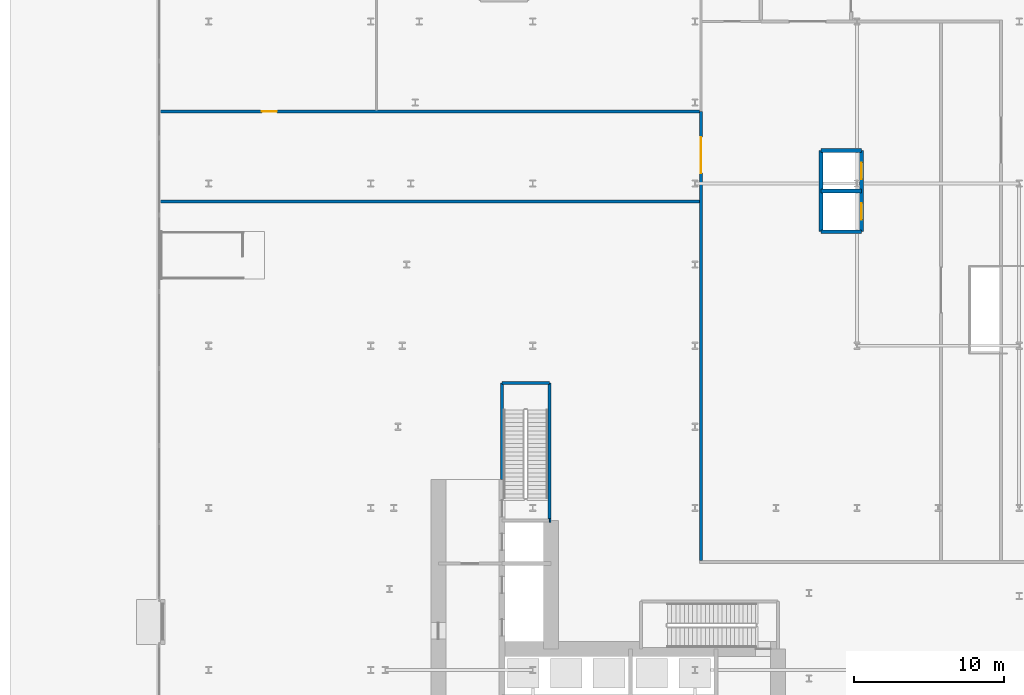
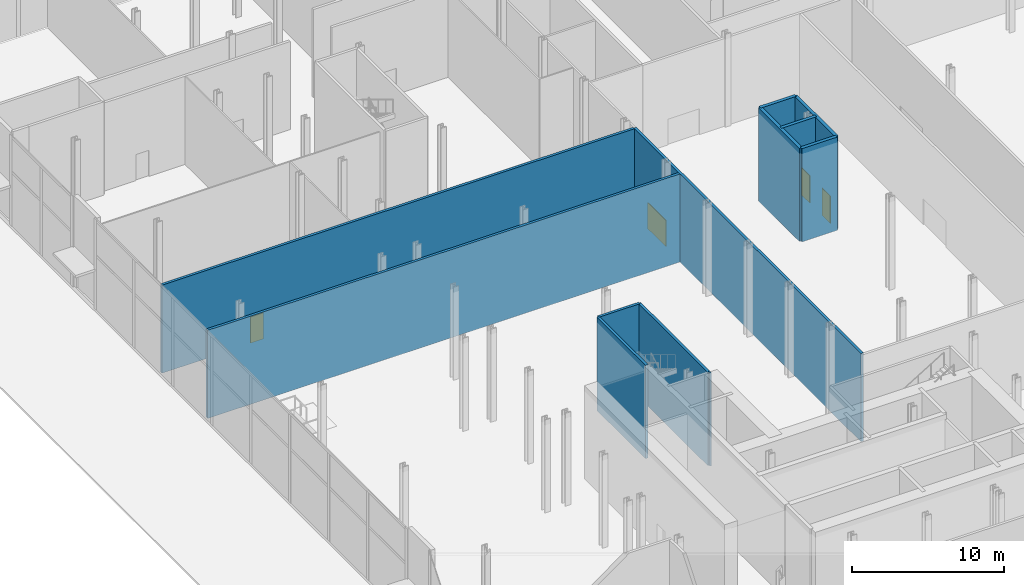
# One storey, part 25 of 46: 12 walls, 4 doors, 4 openings.
"""IFC4 building model written with IfcOpenShell, lengths in metres."""

from ifc_helpers import new_model, si_unit, direction, frame, frame_2d, origin, place, context, subcontext, project, spatial, rectangle, extrude, source, transform, mapped, material, layer, layer_set, type_object, element, fill, save


model = new_model("IFC4")

# Units and contexts
model_context = context("Model", 3, precision=1e-05, world=origin(), true_north=direction((0.0, 1.0)))
body_context = subcontext(model_context, "Body", "Model", "MODEL_VIEW")
ifc_project = project(units=[si_unit("LENGTHUNIT", "METRE"), si_unit("AREAUNIT", "SQUARE_METRE"), si_unit("VOLUMEUNIT", "CUBIC_METRE"), si_unit("PLANEANGLEUNIT", "RADIAN"), si_unit("MASSUNIT", "GRAM", prefix="KILO")], contexts=[model_context])

# Site, building, storey
site_placement = place(None, origin())
site = spatial("IfcSite", under=ifc_project, at=site_placement, CompositionType="ELEMENT")
building_placement = place(site_placement, origin())
building = spatial("IfcBuilding", under=site, at=building_placement, Name="Kheshtan School and Residences Tower", CompositionType="ELEMENT")
storey_placement = place(building_placement, origin())
storey = spatial("IfcBuildingStorey", under=building, at=storey_placement, Name="L00", CompositionType="ELEMENT", Elevation=0.0)

# Wall
ifc_material_1 = material(Name="Gypsum board on steel studs with fire boards", Category="steel")
ifc_layer_1 = layer(ifc_material_1, 0.199951171875)
ifc_layer_set_1 = layer_set([ifc_layer_1], Name="Corridor wall 200")
wall_type_1 = type_object("IfcWallType", Name="Corridor wall 200", PredefinedType="PARTITIONING", material=ifc_layer_set_1)
wall_1_placement = place(storey_placement, frame((12.0, 66.0, 0.0), z_axis=(0.0, 0.0, 1.0), x_axis=(1.0, 0.0, 0.0)))
element("IfcWall", 1, at=wall_1_placement, inside=storey, type_object=wall_type_1, Name="Partition L00-005", PredefinedType="PARTITIONING", context=body_context, shape_type="SweptSolid", body=[
    extrude(rectangle(XDim=35.89990234375, YDim=0.199951171875, at=frame_2d((17.949951171875, 0.0))), origin(), (0.0, 0.0, 1.0), 7.080078125),
])

# Wall, opening, door
wall_2_placement = place(storey_placement, frame((12.0, 72.0, 0.0), z_axis=(0.0, 0.0, 1.0), x_axis=(1.0, 0.0, 0.0)))
wall_2 = element("IfcWall", 2, at=wall_2_placement, inside=storey, type_object=wall_type_1, Name="Partition L00-006", PredefinedType="PARTITIONING", context=body_context, shape_type="SweptSolid", body=[
    extrude(rectangle(XDim=35.89990234375, YDim=0.199951171875, at=frame_2d((17.949951171875, 0.0))), origin(), (0.0, 0.0, 1.0), 7.080078125),
])
opening_1_placement = place(wall_2_placement, frame((6.75, 0.0, 0.0)))
opening_1 = element("IfcOpeningElement", 3, at=opening_1_placement, cuts=wall_2, Name="Opening D00-008", PredefinedType="OPENING", context=body_context, shape_type="SweptSolid", body=[
    extrude(rectangle(XDim=1.0, YDim=2.10009765625, at=frame_2d((0.5, 1.050048828125))), frame((0.0, 0.10986328125, 0.0), z_axis=(0.0, -1.0, 0.0), x_axis=(1.0, 0.0, 0.0)), (0.0, 0.0, 1.0), 0.219970703125),
])
ifc_material_2 = material(Name="Steel-framed fire-resisting door leaf", Category="steel")
door_type_1 = type_object("IfcDoorType", Name="Fire door FD60 1000 x 2100", OperationType="SINGLE_SWING_LEFT", PredefinedType="DOOR", material=ifc_material_2)
shared_shape_1 = source(origin(), body_context, "Body", "SweptSolid", [
    extrude(rectangle(XDim=1.0, YDim=2.10009765625, at=frame_2d((0.5, 1.050048828125))), frame((0.0, 0.02490234375, 0.0), z_axis=(0.0, -1.0, 0.0), x_axis=(1.0, 0.0, 0.0)), (0.0, 0.0, 1.0), 0.050048828125),
])
door_1_placement = place(opening_1_placement, origin())
door_1 = element("IfcDoor", 4, at=door_1_placement, inside=storey, type_object=door_type_1, Name="Door D00-008", OperationType="SINGLE_SWING_RIGHT", OverallHeight=2.10009765625, OverallWidth=1.0, PredefinedType="DOOR", context=body_context, shape_type="MappedRepresentation", body=[
    mapped(shared_shape_1, transform((0.0, 0.0, 0.0), x_axis=(1.0, 0.0, 0.0), y_axis=(0.0, 1.0, 0.0), z_axis=(0.0, 0.0, 1.0), scale=1.0)),
])
fill(opening_1, door_1)

wall_3_placement = place(storey_placement, frame((48.0, 42.10009765625, 0.0), z_axis=(0.0, 0.0, 1.0), x_axis=(0.0, 1.0, 0.0)))
wall_3 = element("IfcWall", 5, at=wall_3_placement, inside=storey, type_object=wall_type_1, Name="Partition L00-024", PredefinedType="PARTITIONING", context=body_context, shape_type="SweptSolid", body=[
    extrude(rectangle(XDim=29.89990234375, YDim=0.199951171875, at=frame_2d((14.949951171875, 0.0))), origin(), (0.0, 0.0, 1.0), 7.080078125),
])
opening_2_placement = place(wall_3_placement, frame((25.800048828125, 0.0, 0.0)))
opening_2 = element("IfcOpeningElement", 6, at=opening_2_placement, cuts=wall_3, Name="Opening D00-052", PredefinedType="OPENING", context=body_context, shape_type="SweptSolid", body=[
    extrude(rectangle(XDim=2.39990234375, YDim=2.10009765625, at=frame_2d((1.199951171875, 1.050048828125))), frame((0.0, 0.10986328125, 0.0), z_axis=(0.0, -1.0, 0.0), x_axis=(1.0, 0.0, 0.0)), (0.0, 0.0, 1.0), 0.219970703125),
])
door_type_2 = type_object("IfcDoorType", Name="Fire double door FD60 2400 x 2100", OperationType="DOUBLE_DOOR_SINGLE_SWING", PredefinedType="DOOR", material=ifc_material_2)
shared_shape_2 = source(origin(), body_context, "Body", "SweptSolid", [
    extrude(rectangle(XDim=2.39990234375, YDim=2.10009765625, at=frame_2d((1.199951171875, 1.050048828125))), frame((0.0, 0.02490234375, 0.0), z_axis=(0.0, -1.0, 0.0), x_axis=(1.0, 0.0, 0.0)), (0.0, 0.0, 1.0), 0.050048828125),
])
door_2_placement = place(opening_2_placement, origin())
door_2 = element("IfcDoor", 7, at=door_2_placement, inside=storey, type_object=door_type_2, Name="Door D00-052", OperationType="DOUBLE_DOOR_SINGLE_SWING", OverallHeight=2.10009765625, OverallWidth=2.39990234375, PredefinedType="DOOR", context=body_context, shape_type="MappedRepresentation", body=[
    mapped(shared_shape_2, transform((0.0, 0.0, 0.0), x_axis=(1.0, 0.0, 0.0), y_axis=(0.0, 1.0, 0.0), z_axis=(0.0, 0.0, 1.0), scale=1.0)),
])
fill(opening_2, door_2)

# Walls
ifc_material_3 = material(Name="Fire-board shaft wall system")
ifc_layer_2 = layer(ifc_material_3, 0.25)
ifc_layer_set_2 = layer_set([ifc_layer_2], Name="Shaft lining wall 250")
wall_type_2 = type_object("IfcWallType", Name="Shaft lining wall 250", PredefinedType="PARTITIONING", material=ifc_layer_set_2)
wall_4_placement = place(storey_placement, frame((37.89990234375, 44.75, 0.0), z_axis=(0.0, 0.0, 1.0), x_axis=(1.0, 0.0, 0.0)))
element("IfcWall", 8, at=wall_4_placement, inside=storey, type_object=wall_type_2, Name="Shaft lining wall", PredefinedType="PARTITIONING", context=body_context, shape_type="SweptSolid", body=[
    extrude(rectangle(XDim=0.10009765625, YDim=0.25, at=frame_2d((0.050048828125, 0.0))), origin(), (0.0, 0.0, 1.0), 7.5),
])
wall_5_placement = place(storey_placement, frame((56.0, 64.0, 0.0), z_axis=(0.0, 0.0, 1.0), x_axis=(0.0, 1.0, 0.0)))
element("IfcWall", 9, at=wall_5_placement, inside=storey, type_object=wall_type_2, Name="Shaft lining wall", PredefinedType="PARTITIONING", context=body_context, shape_type="SweptSolid", body=[
    extrude(rectangle(XDim=5.39990234375, YDim=0.25, at=frame_2d((2.699951171875, 0.0))), origin(), (0.0, 0.0, 1.0), 7.5),
])

# Wall, openings, doors
wall_6_placement = place(storey_placement, frame((58.699951171875, 64.0, 0.0), z_axis=(0.0, 0.0, 1.0), x_axis=(0.0, 1.0, 0.0)))
wall_6 = element("IfcWall", 10, at=wall_6_placement, inside=storey, type_object=wall_type_2, Name="Shaft lining wall", PredefinedType="PARTITIONING", context=body_context, shape_type="SweptSolid", body=[
    extrude(rectangle(XDim=5.39990234375, YDim=0.25, at=frame_2d((2.699951171875, 0.0))), origin(), (0.0, 0.0, 1.0), 7.5),
])
opening_3_placement = place(wall_6_placement, frame((0.800048828125, 0.0, 0.0)))
opening_3 = element("IfcOpeningElement", 11, at=opening_3_placement, cuts=wall_6, Name="Opening LD", PredefinedType="OPENING", context=body_context, shape_type="SweptSolid", body=[
    extrude(rectangle(XDim=1.10009765625, YDim=2.199951171875, at=frame_2d((0.550048828125, 1.10009765625))), frame((0.0, 0.135009765625, 0.0), z_axis=(0.0, -1.0, 0.0), x_axis=(1.0, 0.0, 0.0)), (0.0, 0.0, 1.0), 0.27001953125),
])
opening_4_placement = place(wall_6_placement, frame((3.5, 0.0, 0.0)))
opening_4 = element("IfcOpeningElement", 12, at=opening_4_placement, cuts=wall_6, Name="Opening LD", PredefinedType="OPENING", context=body_context, shape_type="SweptSolid", body=[
    extrude(rectangle(XDim=1.10009765625, YDim=2.199951171875, at=frame_2d((0.550048828125, 1.10009765625))), frame((0.0, 0.135009765625, 0.0), z_axis=(0.0, -1.0, 0.0), x_axis=(1.0, 0.0, 0.0)), (0.0, 0.0, 1.0), 0.27001953125),
])
ifc_material_4 = material(Name="Stainless steel door leaves", Category="steel")
door_type_3 = type_object("IfcDoorType", Name="Lift landing door 1100", OperationType="SLIDING_TO_LEFT", PredefinedType="DOOR", material=ifc_material_4)
shared_shape_3 = source(origin(), body_context, "Body", "SweptSolid", [
    extrude(rectangle(XDim=1.10009765625, YDim=2.199951171875, at=frame_2d((0.550048828125, 1.10009765625))), frame((0.0, 0.02490234375, 0.0), z_axis=(0.0, -1.0, 0.0), x_axis=(1.0, 0.0, 0.0)), (0.0, 0.0, 1.0), 0.050048828125),
])
door_3_placement = place(opening_3_placement, origin())
door_3 = element("IfcDoor", 13, at=door_3_placement, inside=storey, type_object=door_type_3, Name="Lift ML1 landing door", OperationType="SLIDING_TO_LEFT", OverallHeight=2.199951171875, OverallWidth=1.10009765625, PredefinedType="DOOR", context=body_context, shape_type="MappedRepresentation", body=[
    mapped(shared_shape_3, transform((0.0, 0.0, 0.0), x_axis=(1.0, 0.0, 0.0), y_axis=(0.0, 1.0, 0.0), z_axis=(0.0, 0.0, 1.0), scale=1.0)),
])
fill(opening_3, door_3)
door_4_placement = place(opening_4_placement, origin())
door_4 = element("IfcDoor", 14, at=door_4_placement, inside=storey, type_object=door_type_3, Name="Lift ML2 landing door", OperationType="SLIDING_TO_LEFT", OverallHeight=2.199951171875, OverallWidth=1.10009765625, PredefinedType="DOOR", context=body_context, shape_type="MappedRepresentation", body=[
    mapped(shared_shape_3, transform((0.0, 0.0, 0.0), x_axis=(1.0, 0.0, 0.0), y_axis=(0.0, 1.0, 0.0), z_axis=(0.0, 0.0, 1.0), scale=1.0)),
])
fill(opening_4, door_4)

# Walls
for number, where, z_axis, x_axis, name in (
    (15, (56.0, 64.0, 0.0), (0.0, 0.0, 1.0), (1.0, 0.0, 0.0), "Shaft lining wall"),
    (16, (56.0, 66.699951171875, 0.0), (0.0, 0.0, 1.0), (1.0, 0.0, 0.0), "Shaft lining wall"),
    (17, (56.0, 69.39990234375, 0.0), (0.0, 0.0, 1.0), (1.0, 0.0, 0.0), "Shaft lining wall"),
):
    element("IfcWall", number, at=place(storey_placement, frame(where, z_axis=z_axis, x_axis=x_axis)), inside=storey, type_object=wall_type_2, Name=name, PredefinedType="PARTITIONING", context=body_context, shape_type="SweptSolid", body=[
        extrude(rectangle(XDim=2.699951171875, YDim=0.25, at=frame_2d((1.35009765625, 0.0))), origin(), (0.0, 0.0, 1.0), 7.5),
    ])
ifc_material_5 = material(Name="Concrete C40/50", Category="concrete")
ifc_layer_3 = layer(ifc_material_5, 0.199951171875)
ifc_layer_set_3 = layer_set([ifc_layer_3], Name="Stair enclosure wall 200 Concrete C40/50")
wall_type_3 = type_object("IfcWallType", Name="Stair enclosure wall 200 Concrete C40/50", PredefinedType="SHEAR", material=ifc_layer_set_3)
wall_7_placement = place(storey_placement, frame((34.75, 53.909912109375, 0.0), z_axis=(0.0, 0.0, 1.0), x_axis=(1.0, 0.0, 0.0)))
element("IfcWall", 18, at=wall_7_placement, inside=storey, type_object=wall_type_3, Name="Stair enclosure wall ST2", PredefinedType="SHEAR", context=body_context, shape_type="SweptSolid", body=[
    extrude(rectangle(XDim=3.14990234375, YDim=0.199951171875, at=frame_2d((1.574951171875, 0.0))), origin(), (0.0, 0.0, 1.0), 7.5),
])
wall_8_placement = place(storey_placement, frame((34.75, 47.5, 0.0), z_axis=(0.0, 0.0, 1.0), x_axis=(0.0, 1.0, 0.0)))
element("IfcWall", 19, at=wall_8_placement, inside=storey, type_object=wall_type_3, Name="Stair enclosure wall ST2", PredefinedType="SHEAR", context=body_context, shape_type="SweptSolid", body=[
    extrude(rectangle(XDim=6.409912109375, YDim=0.199951171875, at=frame_2d((3.205078125, 0.0))), origin(), (0.0, 0.0, 1.0), 7.5),
])
wall_9_placement = place(storey_placement, frame((37.89990234375, 44.75, 0.0), z_axis=(0.0, 0.0, 1.0), x_axis=(0.0, 1.0, 0.0)))
element("IfcWall", 20, at=wall_9_placement, inside=storey, type_object=wall_type_3, Name="Stair enclosure wall ST2", PredefinedType="SHEAR", context=body_context, shape_type="SweptSolid", body=[
    extrude(rectangle(XDim=9.159912109375, YDim=0.199951171875, at=frame_2d((4.580078125, 0.0))), origin(), (0.0, 0.0, 1.0), 7.5),
])

save(model, "model.ifc")
